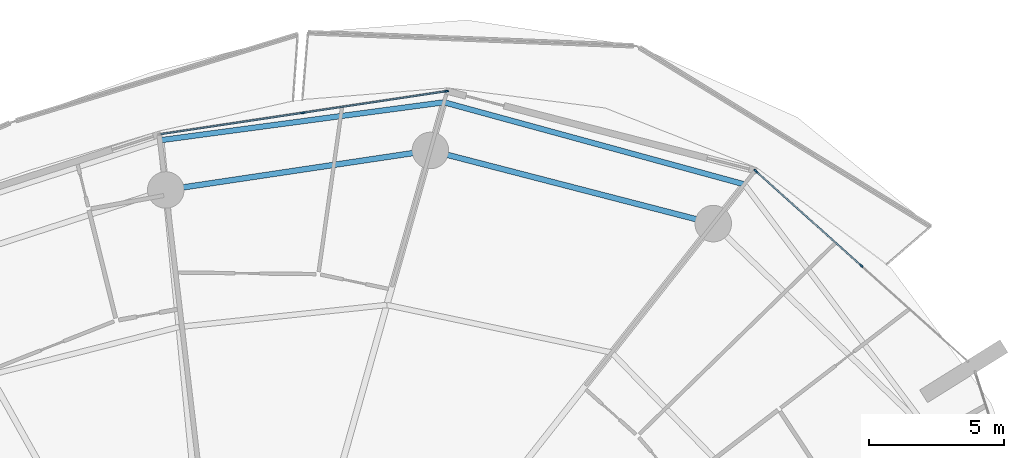
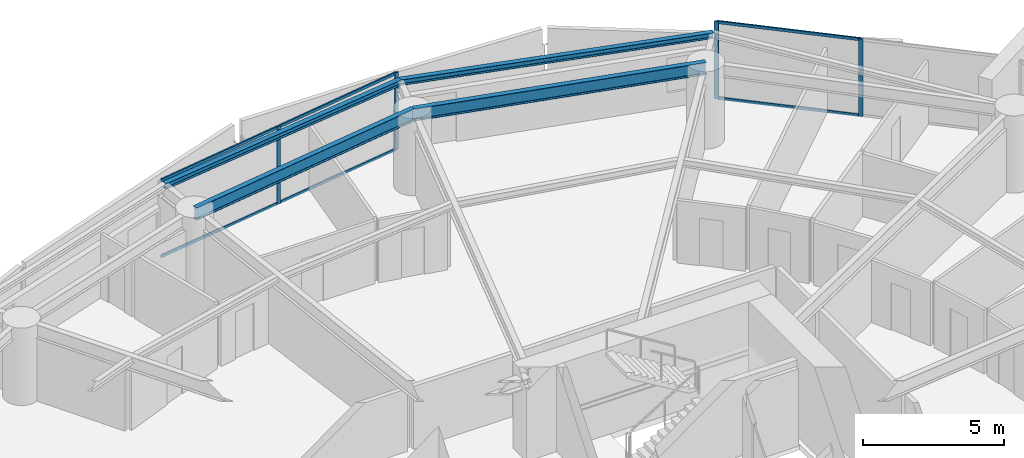
# One storey, part 16 of 31: 10 members, 4 beams, 2 elements without a shape of their own.
"""IFC4 building model written with IfcOpenShell, lengths in metres."""

from ifc_helpers import new_model, si_unit, direction, frame, origin, origin_2d, place, context, subcontext, project, spatial, rectangle, i_section, extrude, material, layer, layer_set, material_profile, profile_set, type_object, element, aggregate, save


model = new_model("IFC4")

# Units and contexts
model_context = context("Model", 3, precision=1e-05, world=origin(), true_north=direction((0.0, 1.0)))
body_context = subcontext(model_context, "Body", "Model", "MODEL_VIEW")
ifc_project = project(units=[si_unit("LENGTHUNIT", "METRE"), si_unit("AREAUNIT", "SQUARE_METRE"), si_unit("VOLUMEUNIT", "CUBIC_METRE"), si_unit("PLANEANGLEUNIT", "RADIAN"), si_unit("MASSUNIT", "GRAM", prefix="KILO")], contexts=[model_context])

# Site, building, storey
site_placement = place(None, origin())
site = spatial("IfcSite", under=ifc_project, at=site_placement, CompositionType="ELEMENT")
building_placement = place(site_placement, origin())
building = spatial("IfcBuilding", under=site, at=building_placement, Name="Kazma Halo Residences", CompositionType="ELEMENT")
storey_placement = place(building_placement, frame((0.0, 0.0, 67.64990234375)))
storey = spatial("IfcBuildingStorey", under=building, at=storey_placement, Name="L16", CompositionType="ELEMENT", Elevation=67.64990234375)

# Beams
ifc_material_1 = material(Name="Steel S355", Category="steel")
ifc_material_profile_1 = material_profile(ifc_material_1, i_section(OverallWidth=0.201904296875, OverallDepth=0.2470703125, WebThickness=0.00732421875, FlangeThickness=0.010986328125, FilletRadius=0.011962890625, at=origin_2d()), Name="W250x49.1")
ifc_profile_set_1 = profile_set([ifc_material_profile_1], Name="Steel S355")
beam_type_1 = type_object("IfcBeamType", Name="BM-BAL-CANT", PredefinedType="BEAM", material=ifc_profile_set_1)
beam_1_placement = place(storey_placement, frame((66.603515625, 65.598388671875, 3.2265625), z_axis=(-0.964628474934, 0.263613173697, 0.0), x_axis=(-0.263613173697, -0.964628474934, 0.0)))
element("IfcBeam", 1, at=beam_1_placement, inside=storey, type_object=beam_type_1, Name="L16 wave-balcony tie beam 02", PredefinedType="BEAM", context=body_context, shape_type="SweptSolid", body=[
    extrude(i_section(OverallWidth=0.201904296875, OverallDepth=0.2470703125, WebThickness=0.00732421875, FlangeThickness=0.010986328125, FilletRadius=0.011962890625, at=origin_2d()), origin(), (0.0, 0.0, 1.0), 11.499755859375),
])
beam_2_placement = place(storey_placement, frame((55.510498046875, 68.6298828125, 3.2265625), z_axis=(-0.991168183526, -0.13261082899, 0.0), x_axis=(0.13261082899, -0.991168183526, 0.0)))
element("IfcBeam", 2, at=beam_2_placement, inside=storey, type_object=beam_type_1, Name="L16 wave-balcony tie beam 03", PredefinedType="BEAM", context=body_context, shape_type="SweptSolid", body=[
    extrude(i_section(OverallWidth=0.201904296875, OverallDepth=0.2470703125, WebThickness=0.00732421875, FlangeThickness=0.010986328125, FilletRadius=0.011962890625, at=origin_2d()), origin(), (0.0, 0.0, 1.0), 10.551025390625),
])
ifc_material_profile_2 = material_profile(ifc_material_1, i_section(OverallWidth=0.208984375, OverallDepth=0.532958984375, WebThickness=0.01025390625, FlangeThickness=0.015625, FilletRadius=0.01611328125, at=origin_2d()), Name="W530x92")
ifc_profile_set_2 = profile_set([ifc_material_profile_2], Name="Steel S355")
beam_type_2 = type_object("IfcBeamType", Name="BM-SPN-W530", PredefinedType="BEAM", material=ifc_profile_set_2)
beam_3_placement = place(storey_placement, frame((65.458251953125, 64.145751953125, 3.08349609375), z_axis=(-0.968123558238, 0.250473104313, 0.0), x_axis=(-0.250473104313, -0.968123558238, 0.0)))
element("IfcBeam", 3, at=beam_3_placement, inside=storey, type_object=beam_type_2, Name="L16 perimeter ring beam 02", PredefinedType="BEAM", context=body_context, shape_type="SweptSolid", body=[
    extrude(i_section(OverallWidth=0.208984375, OverallDepth=0.532958984375, WebThickness=0.01025390625, FlangeThickness=0.015625, FilletRadius=0.01611328125, at=origin_2d()), origin(), (0.0, 0.0, 1.0), 10.7939453125),
])
beam_4_placement = place(storey_placement, frame((55.00830078125, 66.849365234375, 3.08349609375), z_axis=(-0.989033061974, -0.147694286693, 0.0), x_axis=(0.147694286693, -0.989033061974, 0.0)))
element("IfcBeam", 4, at=beam_4_placement, inside=storey, type_object=beam_type_2, Name="L16 perimeter ring beam 03", PredefinedType="BEAM", context=body_context, shape_type="SweptSolid", body=[
    extrude(i_section(OverallWidth=0.208984375, OverallDepth=0.532958984375, WebThickness=0.01025390625, FlangeThickness=0.015625, FilletRadius=0.01611328125, at=origin_2d()), origin(), (0.0, 0.0, 1.0), 9.885009765625),
])

# Curtain wall, members
ifc_material_2 = material(Name="Aluminium AW-6063 T6 and Triple-Silver Low-E Glass", Category="aluminium")
ifc_layer = layer(ifc_material_2, 0.159912109375)
ifc_layer_set = layer_set([ifc_layer], Name="Aluminium AW-6063 T6 and Triple-Silver Low-E Glass")
curtain_wall_type = type_object("IfcCurtainWallType", Name="CW-SYS-2", PredefinedType="NOTDEFINED", material=ifc_layer_set)
curtain_wall_1_placement = place(storey_placement, origin())
curtain_wall_1 = element("IfcCurtainWall", 5, at=curtain_wall_1_placement, inside=storey, type_object=curtain_wall_type, Name="L16 unitised curtain wall B01", PredefinedType="NOTDEFINED")
ifc_material_3 = material(Name="Aluminium AW-6063 T6", Category="aluminium")
ifc_material_profile_3 = material_profile(ifc_material_3, rectangle(XDim=0.06005859375, YDim=0.159912109375, at=origin_2d()), Name="CWM-60x160")
ifc_profile_set_3 = profile_set([ifc_material_profile_3], Name="Aluminium AW-6063 T6")
member_type_1 = type_object("IfcMemberType", Name="CW-SYS-2-MUL", PredefinedType="MULLION", material=ifc_profile_set_3)
member_1_placement = place(storey_placement, frame((70.92724609375, 62.590087890625, 0.0), z_axis=(0.0, 0.0, 1.0), x_axis=(-0.667821453854, -0.744321506993, 0.0)))
member_1 = element("IfcMember", 6, at=member_1_placement, type_object=member_type_1, Name="CWS-2 mullion 2", PredefinedType="MULLION", context=body_context, shape_type="SweptSolid", body=[
    extrude(rectangle(XDim=0.06005859375, YDim=0.159912109375, at=origin_2d()), origin(), (0.0, 0.0, 1.0), 3.35009765625),
])
member_2_placement = place(storey_placement, frame((67.028076171875, 66.088623046875, 0.0), z_axis=(0.0, 0.0, 1.0), x_axis=(-0.667821453854, -0.744321506993, 0.0)))
member_2 = element("IfcMember", 7, at=member_2_placement, type_object=member_type_1, Name="CWS-2 mullion 3", PredefinedType="MULLION", context=body_context, shape_type="SweptSolid", body=[
    extrude(rectangle(XDim=0.06005859375, YDim=0.159912109375, at=origin_2d()), origin(), (0.0, 0.0, 1.0), 3.35009765625),
])

curtain_wall_2_placement = place(storey_placement, origin())
curtain_wall_2 = element("IfcCurtainWall", 8, at=curtain_wall_2_placement, inside=storey, type_object=curtain_wall_type, Name="L16 unitised curtain wall B03", PredefinedType="NOTDEFINED")
member_3_placement = place(storey_placement, frame((55.596923828125, 69.037841796875, 0.0), z_axis=(0.0, 0.0, 1.0), x_axis=(0.148657272805, -0.988888777994, 0.0)))
member_3 = element("IfcMember", 9, at=member_3_placement, type_object=member_type_1, Name="CWS-2 mullion 1", PredefinedType="MULLION", context=body_context, shape_type="SweptSolid", body=[
    extrude(rectangle(XDim=0.06005859375, YDim=0.159912109375, at=origin_2d()), origin(), (0.0, 0.0, 1.0), 3.35009765625),
])
member_4_placement = place(storey_placement, frame((50.3076171875, 68.24267578125, 0.0), z_axis=(0.0, 0.0, 1.0), x_axis=(0.148657272805, -0.988888777994, 0.0)))
member_4 = element("IfcMember", 10, at=member_4_placement, type_object=member_type_1, Name="CWS-2 mullion 2", PredefinedType="MULLION", context=body_context, shape_type="SweptSolid", body=[
    extrude(rectangle(XDim=0.06005859375, YDim=0.159912109375, at=origin_2d()), origin(), (0.0, 0.0, 1.0), 3.35009765625),
])

# Member
ifc_material_profile_4 = material_profile(ifc_material_3, rectangle(XDim=0.06005859375, YDim=0.1201171875, at=origin_2d()), Name="CWT-60x120")
ifc_profile_set_4 = profile_set([ifc_material_profile_4], Name="Aluminium AW-6063 T6")
member_type_2 = type_object("IfcMemberType", Name="CW-SYS-2-TRN", PredefinedType="USERDEFINED", material=ifc_profile_set_4)
member_5_placement = place(storey_placement, frame((70.905029296875, 62.6103515625, 0.030029296875), z_axis=(-0.744329408538, 0.66781264707, 0.0), x_axis=(-0.66781264707, -0.744329408538, 0.0)))
member_5 = element("IfcMember", 11, at=member_5_placement, type_object=member_type_2, Name="CWS-2 transom 2.1", ObjectType="TRANSOM", PredefinedType="USERDEFINED", context=body_context, shape_type="SweptSolid", body=[
    extrude(rectangle(XDim=0.06005859375, YDim=0.1201171875, at=origin_2d()), origin(), (0.0, 0.0, 1.0), 5.178466796875),
])

member_6_placement = place(storey_placement, frame((70.905029296875, 62.6103515625, 3.320068359375), z_axis=(-0.744329408538, 0.66781264707, 0.0), x_axis=(-0.66781264707, -0.744329408538, 0.0)))
member_6 = element("IfcMember", 12, at=member_6_placement, type_object=member_type_2, Name="CWS-2 transom 2.2", ObjectType="TRANSOM", PredefinedType="USERDEFINED", context=body_context, shape_type="SweptSolid", body=[
    extrude(rectangle(XDim=0.06005859375, YDim=0.1201171875, at=origin_2d()), origin(), (0.0, 0.0, 1.0), 5.178466796875),
])

aggregate(curtain_wall_1, [member_1, member_2, member_5, member_6])

member_7_placement = place(storey_placement, frame((55.5673828125, 69.033203125, 0.030029296875), z_axis=(-0.988890934274, -0.148642928222, 0.0), x_axis=(0.148642928222, -0.988890934274, 0.0)))
member_7 = element("IfcMember", 13, at=member_7_placement, type_object=member_type_2, Name="CWS-2 transom 1.1", ObjectType="TRANSOM", PredefinedType="USERDEFINED", context=body_context, shape_type="SweptSolid", body=[
    extrude(rectangle(XDim=0.06005859375, YDim=0.1201171875, at=origin_2d()), origin(), (0.0, 0.0, 1.0), 5.288818359375),
])

member_8_placement = place(storey_placement, frame((55.5673828125, 69.033203125, 3.320068359375), z_axis=(-0.988890934274, -0.148642928222, 0.0), x_axis=(0.148642928222, -0.988890934274, 0.0)))
member_8 = element("IfcMember", 14, at=member_8_placement, type_object=member_type_2, Name="CWS-2 transom 1.2", ObjectType="TRANSOM", PredefinedType="USERDEFINED", context=body_context, shape_type="SweptSolid", body=[
    extrude(rectangle(XDim=0.06005859375, YDim=0.1201171875, at=origin_2d()), origin(), (0.0, 0.0, 1.0), 5.288818359375),
])

member_9_placement = place(storey_placement, frame((50.278076171875, 68.238037109375, 0.030029296875), z_axis=(-0.98889195415, -0.148636143041, 0.0), x_axis=(0.148636143041, -0.98889195415, 0.0)))
member_9 = element("IfcMember", 15, at=member_9_placement, type_object=member_type_2, Name="CWS-2 transom 2.1", ObjectType="TRANSOM", PredefinedType="USERDEFINED", context=body_context, shape_type="SweptSolid", body=[
    extrude(rectangle(XDim=0.06005859375, YDim=0.1201171875, at=origin_2d()), origin(), (0.0, 0.0, 1.0), 5.2890625),
])

member_10_placement = place(storey_placement, frame((50.278076171875, 68.238037109375, 3.320068359375), z_axis=(-0.98889195415, -0.148636143041, 0.0), x_axis=(0.148636143041, -0.98889195415, 0.0)))
member_10 = element("IfcMember", 16, at=member_10_placement, type_object=member_type_2, Name="CWS-2 transom 2.2", ObjectType="TRANSOM", PredefinedType="USERDEFINED", context=body_context, shape_type="SweptSolid", body=[
    extrude(rectangle(XDim=0.06005859375, YDim=0.1201171875, at=origin_2d()), origin(), (0.0, 0.0, 1.0), 5.2890625),
])

aggregate(curtain_wall_2, [member_3, member_4, member_7, member_8, member_9, member_10])

save(model, "model.ifc")
